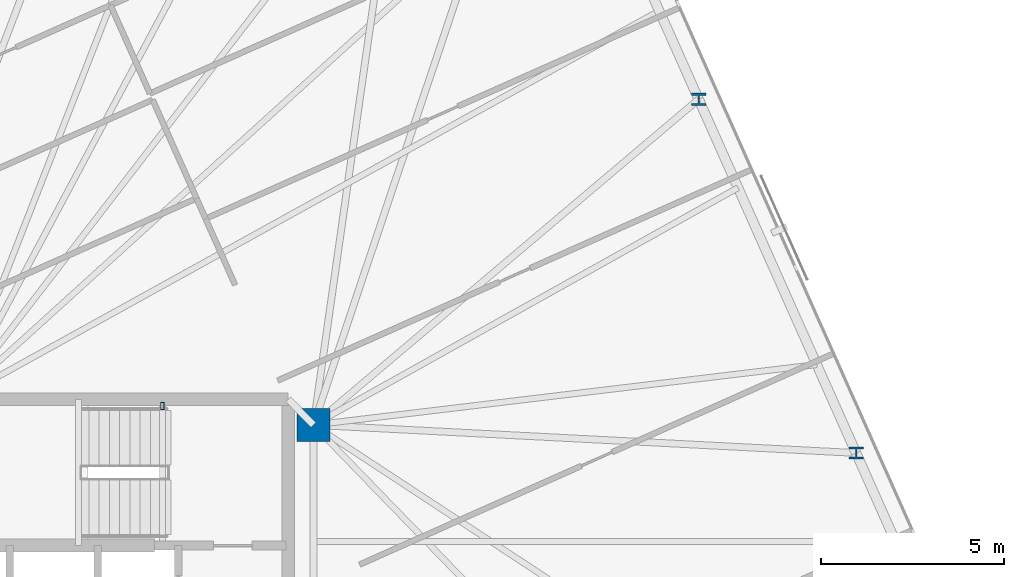
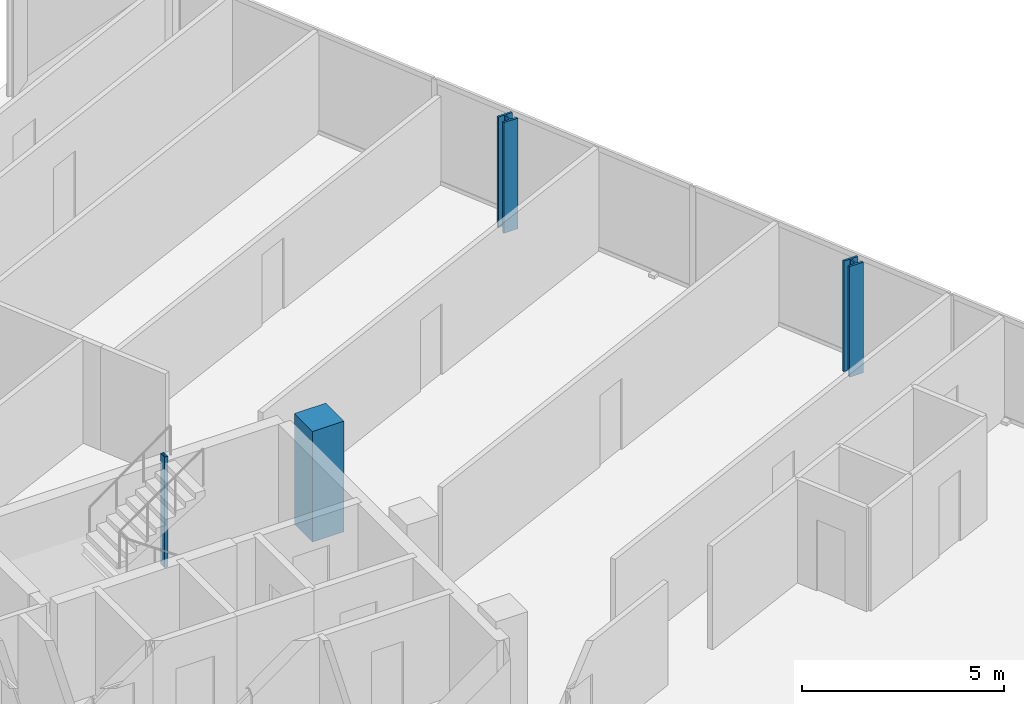
# One storey, part 3 of 19: 4 columns.
"""IFC4 building model written with IfcOpenShell, lengths in metres."""

from ifc_helpers import new_model, si_unit, direction, frame, origin, origin_2d, place, context, subcontext, project, spatial, rectangle, hollow_rectangle, i_section, extrude, material, material_profile, profile_set, type_object, element, save


model = new_model("IFC4")

# Units and contexts
model_context = context("Model", 3, precision=1e-05, world=origin(), true_north=direction((0.0, 1.0)))
body_context = subcontext(model_context, "Body", "Model", "MODEL_VIEW")
ifc_project = project(units=[si_unit("LENGTHUNIT", "METRE"), si_unit("AREAUNIT", "SQUARE_METRE"), si_unit("VOLUMEUNIT", "CUBIC_METRE"), si_unit("PLANEANGLEUNIT", "RADIAN"), si_unit("MASSUNIT", "GRAM", prefix="KILO")], contexts=[model_context])

# Site, building, storey
site_placement = place(None, origin())
site = spatial("IfcSite", under=ifc_project, at=site_placement, CompositionType="ELEMENT")
building_placement = place(site_placement, origin())
building = spatial("IfcBuilding", under=site, at=building_placement, Name="Menara Jurai Vektor", CompositionType="ELEMENT")
storey_placement = place(building_placement, frame((0.0, 0.0, 288.60009765625)))
storey = spatial("IfcBuildingStorey", under=building, at=storey_placement, Name="L77", CompositionType="ELEMENT", Elevation=288.60009765625)

# Columns
ifc_material_1 = material(Name="Concrete C50/60", Category="concrete")
ifc_material_profile_1 = material_profile(ifc_material_1, rectangle(XDim=0.89990234375, YDim=0.89990234375, at=origin_2d()), Name="RC 900x900")
ifc_profile_set_1 = profile_set([ifc_material_profile_1], Name="Concrete C50/60")
column_type_1 = type_object("IfcColumnType", Name="STR-COL-RC900", PredefinedType="COLUMN", material=ifc_profile_set_1)
column_1_placement = place(storey_placement, frame((15.25, 4.89990234375, 0.0), z_axis=(0.0, 0.0, 1.0), x_axis=(1.0, 0.0, 0.0)))
element("IfcColumn", 1, at=column_1_placement, inside=storey, type_object=column_type_1, Name="Core Spine Column CE-NE L77", PredefinedType="COLUMN", context=body_context, shape_type="SweptSolid", body=[
    extrude(rectangle(XDim=0.89990234375, YDim=0.89990234375, at=origin_2d()), origin(), (0.0, 0.0, 1.0), 3.349853515625),
])
ifc_material_2 = material(Name="Steel S355", Category="steel")
ifc_material_profile_2 = material_profile(ifc_material_2, hollow_rectangle(XDim=0.10009765625, YDim=0.199951171875, WallThickness=0.008056640625, at=origin_2d()), Name="RHS 200x100x8")
ifc_profile_set_2 = profile_set([ifc_material_profile_2], Name="Steel S355")
column_type_2 = type_object("IfcColumnType", Name="STR-COL-STAIR", PredefinedType="COLUMN", material=ifc_profile_set_2)
column_2_placement = place(storey_placement, frame((11.1201171875, 5.419921875, 0.0), z_axis=(0.0, 0.0, 1.0), x_axis=(1.0, 0.0, 0.0)))
element("IfcColumn", 2, at=column_2_placement, inside=storey, type_object=column_type_2, Name="Stair Well Header Column ST2-P2 L77", PredefinedType="COLUMN", context=body_context, shape_type="SweptSolid", body=[
    extrude(hollow_rectangle(XDim=0.10009765625, YDim=0.199951171875, WallThickness=0.008056640625, at=origin_2d()), origin(), (0.0, 0.0, 1.0), 3.349853515625),
])
ifc_material_3 = material(Name="Steel S460", Category="steel")
ifc_material_profile_3 = material_profile(ifc_material_3, i_section(OverallWidth=0.40087890625, OverallDepth=0.3349609375, WebThickness=0.035888671875, FlangeThickness=0.05810546875, FilletRadius=0.014892578125, at=origin_2d()), Name="HD 400x463")
ifc_profile_set_3 = profile_set([ifc_material_profile_3], Name="Steel S460")
column_type_3 = type_object("IfcColumnType", Name="STR-EXO-BLK5", PredefinedType="COLUMN", material=ifc_profile_set_3)
for number, where, z_axis, x_axis, name in (
    (3, (30.086181640625, 4.13330078125, 0.0), (0.0, 0.0, 1.0), (1.0, 0.0, 0.0), "Exoskeleton Column BLK5-E2 L77"),
    (4, (25.781005859375, 13.80322265625, 0.0), (0.0, 0.0, 1.0), (1.0, 0.0, 0.0), "Exoskeleton Column BLK5-E3 L77"),
):
    element("IfcColumn", number, at=place(storey_placement, frame(where, z_axis=z_axis, x_axis=x_axis)), inside=storey, type_object=column_type_3, Name=name, PredefinedType="COLUMN", context=body_context, shape_type="SweptSolid", body=[
        extrude(i_section(OverallWidth=0.40087890625, OverallDepth=0.3349609375, WebThickness=0.035888671875, FlangeThickness=0.05810546875, FilletRadius=0.014892578125, at=origin_2d()), origin(), (0.0, 0.0, 1.0), 3.349853515625),
    ])

save(model, "model.ifc")
